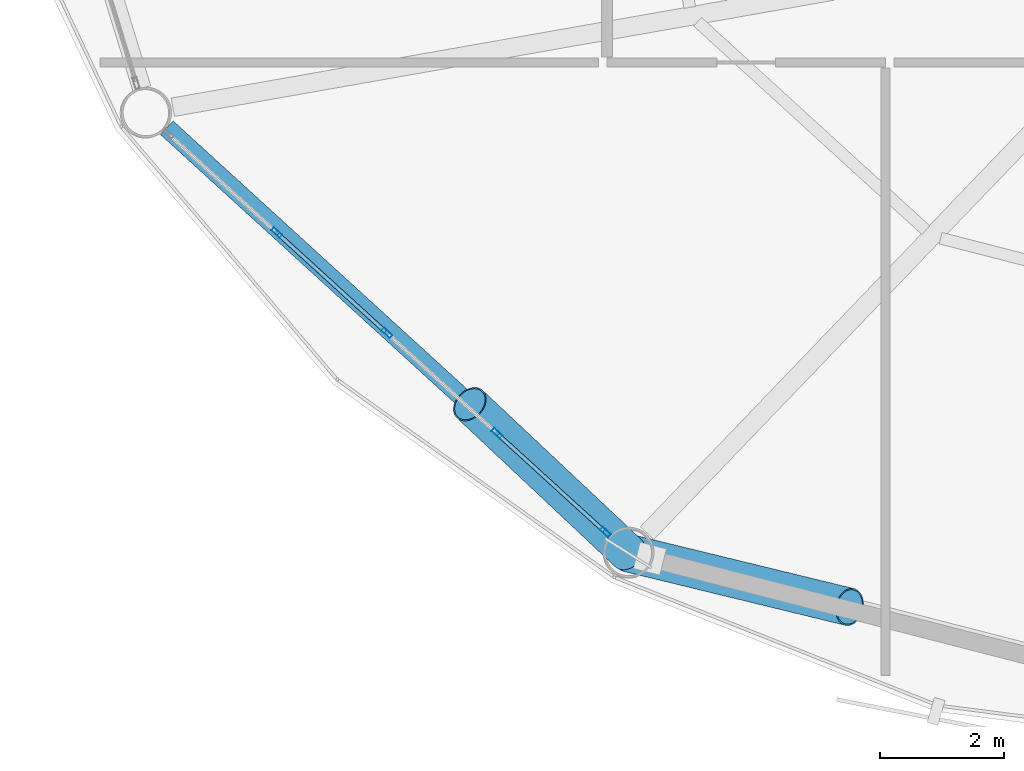
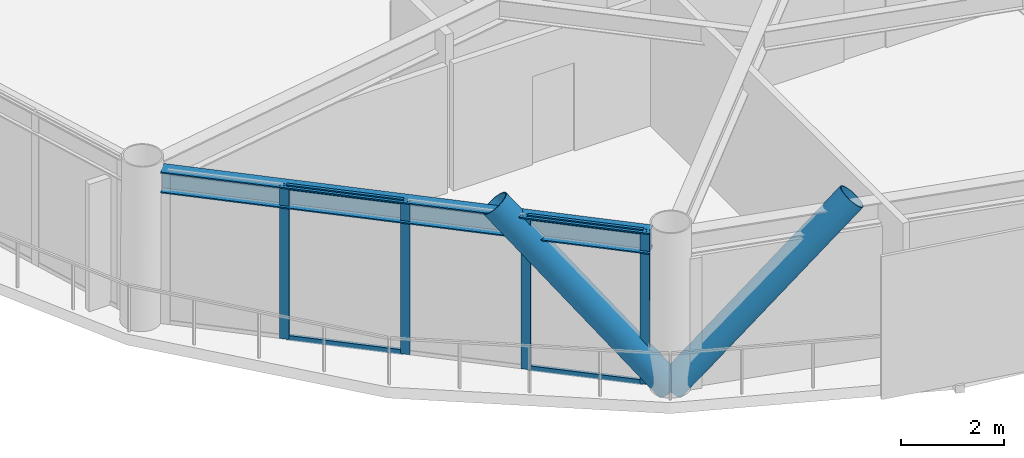
# One storey, part 2 of 24: 10 members, 1 beam, 1 element without a shape of its own.
"""IFC4 building model written with IfcOpenShell, lengths in metres."""

from ifc_helpers import new_model, si_unit, direction, frame, origin, origin_2d, place, context, subcontext, project, spatial, hollow_rectangle, hollow_circle, i_section, extrude, material, layer, layer_set, material_profile, profile_set, type_object, element, aggregate, save


model = new_model("IFC4")

# Units and contexts
model_context = context("Model", 3, precision=1e-05, world=origin(), true_north=direction((0.0, 1.0)))
body_context = subcontext(model_context, "Body", "Model", "MODEL_VIEW")
ifc_project = project(units=[si_unit("LENGTHUNIT", "METRE"), si_unit("AREAUNIT", "SQUARE_METRE"), si_unit("VOLUMEUNIT", "CUBIC_METRE"), si_unit("PLANEANGLEUNIT", "RADIAN"), si_unit("MASSUNIT", "GRAM", prefix="KILO")], contexts=[model_context])

# Site, building, storey
site_placement = place(None, origin())
site = spatial("IfcSite", under=ifc_project, at=site_placement, CompositionType="ELEMENT")
building_placement = place(site_placement, origin())
building = spatial("IfcBuilding", under=site, at=building_placement, Name="Varnakorn Sky Granary", CompositionType="ELEMENT")
storey_placement = place(building_placement, frame((0.0, 0.0, 111.0)))
storey = spatial("IfcBuildingStorey", under=building, at=storey_placement, Name="L27", CompositionType="ELEMENT", Elevation=111.0)

# Beam
ifc_material_1 = material(Name="Steel S355JR", Category="steel")
ifc_material_profile_1 = material_profile(ifc_material_1, i_section(OverallWidth=0.300048828125, OverallDepth=0.5, WebThickness=0.014404296875, FlangeThickness=0.028076171875, at=origin_2d()), Name="HE 500 B")
ifc_profile_set_1 = profile_set([ifc_material_profile_1], Name="Steel S355JR")
beam_type = type_object("IfcBeamType", Name="BM-SPD-Z2", PredefinedType="SPANDREL", material=ifc_profile_set_1)
beam_placement = place(storey_placement, frame((-19.612060546875, -9.954833984375, 3.389892578125), z_axis=(0.738808701246, -0.673915204579, 0.0), x_axis=(0.673915204579, 0.738808701246, 0.0)))
element("IfcBeam", 1, at=beam_placement, inside=storey, type_object=beam_type, Name="Perimeter Spandrel Ring Beam RB08 L27", PredefinedType="SPANDREL", context=body_context, shape_type="SweptSolid", body=[
    extrude(i_section(OverallWidth=0.300048828125, OverallDepth=0.5, WebThickness=0.014404296875, FlangeThickness=0.028076171875, at=origin_2d()), origin(), (0.0, 0.0, 1.0), 9.744140625),
])

# Curtain wall, members
ifc_material_2 = material(Name="Anodised Bronze Aluminium Alloy 6063-T6", Category="aluminium")
ifc_layer = layer(ifc_material_2, 0.179931640625, Name="Anodised Bronze Aluminium Alloy 6063-T6")
ifc_layer_set = layer_set([ifc_layer], Name="Anodised Bronze Aluminium Alloy 6063-T6")
curtain_wall_type = type_object("IfcCurtainWallType", Name="CW-FRM-2", PredefinedType="USERDEFINED", material=ifc_layer_set)
curtain_wall_placement = place(storey_placement, origin())
curtain_wall = element("IfcCurtainWall", 2, at=curtain_wall_placement, inside=storey, type_object=curtain_wall_type, Name="Unitised Curtain Wall CW4 CW-L27-B08", ObjectType="CURTAIN WALL", PredefinedType="USERDEFINED")
ifc_material_profile_2 = material_profile(ifc_material_2, hollow_rectangle(XDim=0.070068359375, YDim=0.18505859375, WallThickness=0.00390625, at=origin_2d()), Name="ALU MULL 70x185")
ifc_profile_set_2 = profile_set([ifc_material_profile_2], Name="Anodised Bronze Aluminium Alloy 6063-T6")
member_type_1 = type_object("IfcMemberType", Name="CW-FRM-2-MULL", PredefinedType="MULLION", material=ifc_profile_set_2)
member_1_placement = place(storey_placement, frame((-12.528076171875, -16.488037109375, 0.0), z_axis=(0.0, 0.0, 1.0), x_axis=(-0.673654386152, -0.739046526287, 0.0)))
member_1 = element("IfcMember", 3, at=member_1_placement, type_object=member_type_1, Name="CW4 mullion 1", PredefinedType="MULLION", context=body_context, shape_type="SweptSolid", body=[
    extrude(hollow_rectangle(XDim=0.070068359375, YDim=0.18505859375, WallThickness=0.00390625, at=origin_2d()), origin(), (0.0, 0.0, 1.0), 3.639892578125),
])
member_2_placement = place(storey_placement, frame((-14.2802734375, -14.890869140625, 0.0), z_axis=(0.0, 0.0, 1.0), x_axis=(-0.673654386152, -0.739046526287, 0.0)))
member_2 = element("IfcMember", 4, at=member_2_placement, type_object=member_type_1, Name="CW4 mullion 2", PredefinedType="MULLION", context=body_context, shape_type="SweptSolid", body=[
    extrude(hollow_rectangle(XDim=0.070068359375, YDim=0.18505859375, WallThickness=0.00390625, at=origin_2d()), origin(), (0.0, 0.0, 1.0), 3.639892578125),
])
member_3_placement = place(storey_placement, frame((-16.058349609375, -13.270263671875, 0.0), z_axis=(0.0, 0.0, 1.0), x_axis=(-0.673654386152, -0.739046526287, 0.0)))
member_3 = element("IfcMember", 5, at=member_3_placement, type_object=member_type_1, Name="CW4 mullion 3", PredefinedType="MULLION", context=body_context, shape_type="SweptSolid", body=[
    extrude(hollow_rectangle(XDim=0.070068359375, YDim=0.18505859375, WallThickness=0.00390625, at=origin_2d()), origin(), (0.0, 0.0, 1.0), 3.639892578125),
])
member_4_placement = place(storey_placement, frame((-17.83642578125, -11.6494140625, 0.0), z_axis=(0.0, 0.0, 1.0), x_axis=(-0.673654386152, -0.739046526287, 0.0)))
member_4 = element("IfcMember", 6, at=member_4_placement, type_object=member_type_1, Name="CW4 mullion 4", PredefinedType="MULLION", context=body_context, shape_type="SweptSolid", body=[
    extrude(hollow_rectangle(XDim=0.070068359375, YDim=0.18505859375, WallThickness=0.00390625, at=origin_2d()), origin(), (0.0, 0.0, 1.0), 3.639892578125),
])
ifc_material_profile_3 = material_profile(ifc_material_2, hollow_rectangle(XDim=0.06494140625, YDim=0.1201171875, WallThickness=0.00341796875, at=origin_2d()), Name="ALU TRAN 65x120")
ifc_profile_set_3 = profile_set([ifc_material_profile_3], Name="Anodised Bronze Aluminium Alloy 6063-T6")
member_type_2 = type_object("IfcMemberType", Name="CW-FRM-2-TRAN", PredefinedType="USERDEFINED", material=ifc_profile_set_3)
member_5_placement = place(storey_placement, frame((-12.553955078125, -16.464599609375, 0.032470703125), z_axis=(-0.739031973261, 0.673670351506, 0.0), x_axis=(-0.673670351506, -0.739031973261, 0.0)))
member_5 = element("IfcMember", 7, at=member_5_placement, type_object=member_type_2, Name="CW4 transom 1.1", ObjectType="TRANSOM", PredefinedType="USERDEFINED", context=body_context, shape_type="SweptSolid", body=[
    extrude(hollow_rectangle(XDim=0.06494140625, YDim=0.1201171875, WallThickness=0.00341796875, at=origin_2d()), origin(), (0.0, 0.0, 1.0), 2.30078125),
])
member_6_placement = place(storey_placement, frame((-12.553955078125, -16.464599609375, 3.607421875), z_axis=(-0.739031973261, 0.673670351506, 0.0), x_axis=(-0.673670351506, -0.739031973261, 0.0)))
member_6 = element("IfcMember", 8, at=member_6_placement, type_object=member_type_2, Name="CW4 transom 1.2", ObjectType="TRANSOM", PredefinedType="USERDEFINED", context=body_context, shape_type="SweptSolid", body=[
    extrude(hollow_rectangle(XDim=0.06494140625, YDim=0.1201171875, WallThickness=0.00341796875, at=origin_2d()), origin(), (0.0, 0.0, 1.0), 2.30078125),
])
member_7_placement = place(storey_placement, frame((-16.084228515625, -13.24658203125, 0.032470703125), z_axis=(-0.739064502056, 0.673634664934, 0.0), x_axis=(-0.673634664934, -0.739064502056, 0.0)))
member_7 = element("IfcMember", 9, at=member_7_placement, type_object=member_type_2, Name="CW4 transom 3.1", ObjectType="TRANSOM", PredefinedType="USERDEFINED", context=body_context, shape_type="SweptSolid", body=[
    extrude(hollow_rectangle(XDim=0.06494140625, YDim=0.1201171875, WallThickness=0.00341796875, at=origin_2d()), origin(), (0.0, 0.0, 1.0), 2.3359375),
])
member_8_placement = place(storey_placement, frame((-16.084228515625, -13.24658203125, 3.607421875), z_axis=(-0.739064502056, 0.673634664934, 0.0), x_axis=(-0.673634664934, -0.739064502056, 0.0)))
member_8 = element("IfcMember", 10, at=member_8_placement, type_object=member_type_2, Name="CW4 transom 3.2", ObjectType="TRANSOM", PredefinedType="USERDEFINED", context=body_context, shape_type="SweptSolid", body=[
    extrude(hollow_rectangle(XDim=0.06494140625, YDim=0.1201171875, WallThickness=0.00341796875, at=origin_2d()), origin(), (0.0, 0.0, 1.0), 2.3359375),
])
aggregate(curtain_wall, [member_1, member_2, member_3, member_4, member_5, member_6, member_7, member_8])

# Members
ifc_material_3 = material(Name="Steel S460M", Category="steel")
ifc_material_profile_4 = material_profile(ifc_material_3, hollow_circle(Radius=0.304931640625, WallThickness=0.022216796875, at=origin_2d()), Name="CHS 610x22")
ifc_profile_set_4 = profile_set([ifc_material_profile_4], Name="Steel S460M")
member_type_3 = type_object("IfcMemberType", Name="MB-DIAG-T1", PredefinedType="BRACE", material=ifc_profile_set_4)
member_9_placement = place(storey_placement, frame((-12.157470703125, -16.825927734375, 0.0), z_axis=(-0.495220752272, 0.465548141602, 0.733499375848), x_axis=(-0.684941747241, -0.728597833435, 0.0)))
element("IfcMember", 11, at=member_9_placement, inside=storey, type_object=member_type_3, Name="Perimeter CHS Diagrid Brace DG08 L27", PredefinedType="BRACE", context=body_context, shape_type="SweptSolid", body=[
    extrude(hollow_circle(Radius=0.304931640625, WallThickness=0.022216796875, at=origin_2d()), origin(), (0.0, 0.0, 1.0), 5.1669921875),
])
member_10_placement = place(storey_placement, frame((-12.157470703125, -16.825927734375, 0.0), z_axis=(0.676770504624, -0.164686061192, 0.717537584605), x_axis=(0.236441324563, 0.971645768806, 0.0)))
element("IfcMember", 12, at=member_10_placement, inside=storey, type_object=member_type_3, Name="Perimeter CHS Diagrid Brace DG09 L27", PredefinedType="BRACE", context=body_context, shape_type="SweptSolid", body=[
    extrude(hollow_circle(Radius=0.304931640625, WallThickness=0.022216796875, at=origin_2d()), origin(), (0.0, 0.0, 1.0), 5.281982421875),
])

save(model, "model.ifc")
